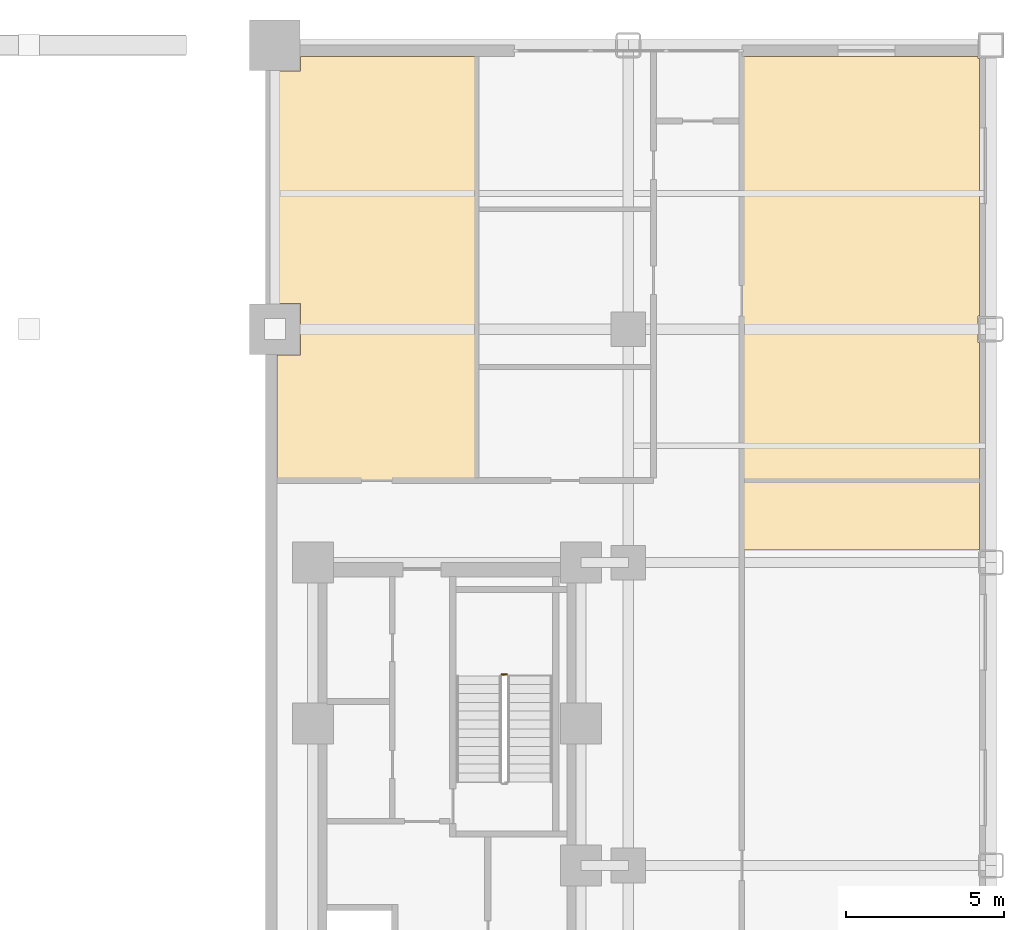
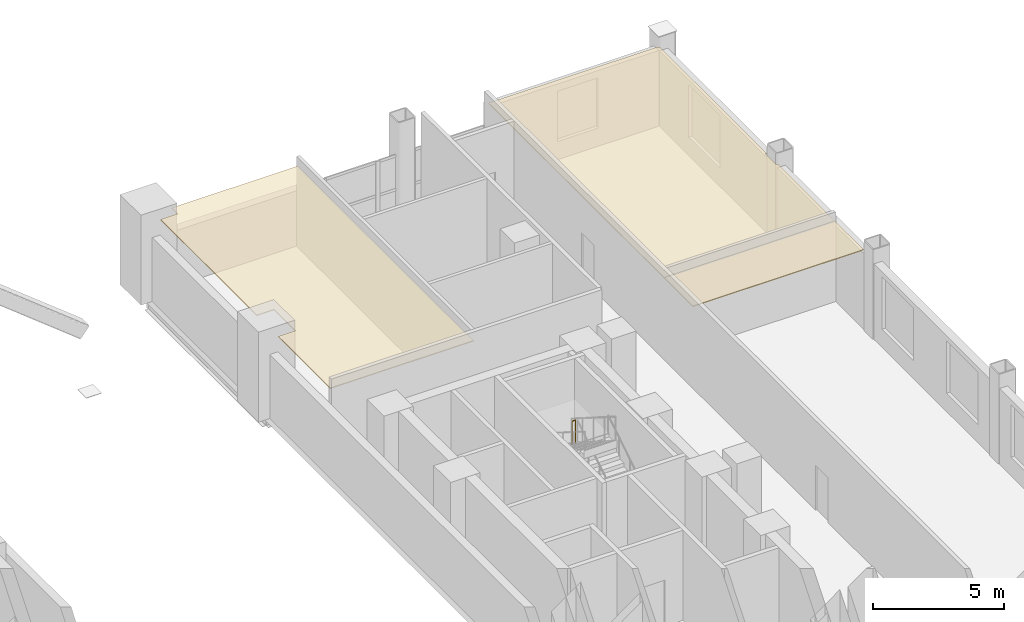
# One storey, part 14 of 14: 3 coverings, 1 railing.
"""IFC4 building model written with IfcOpenShell, lengths in metres."""

from ifc_helpers import new_model, si_unit, direction, frame, origin, origin_2d, place, context, subcontext, project, spatial, polyline, circle, outline, extrude, material, layer, layer_set, type_object, element, save


model = new_model("IFC4")

# Units and contexts
model_context = context("Model", 3, precision=1e-05, world=origin(), true_north=direction((0.0, 1.0)))
body_context = subcontext(model_context, "Body", "Model", "MODEL_VIEW")
ifc_project = project(units=[si_unit("LENGTHUNIT", "METRE"), si_unit("AREAUNIT", "SQUARE_METRE"), si_unit("VOLUMEUNIT", "CUBIC_METRE"), si_unit("PLANEANGLEUNIT", "RADIAN"), si_unit("MASSUNIT", "GRAM", prefix="KILO")], contexts=[model_context])

# Site, building, storey
site_placement = place(None, origin())
site = spatial("IfcSite", under=ifc_project, at=site_placement, CompositionType="ELEMENT")
building_placement = place(site_placement, origin())
building = spatial("IfcBuilding", under=site, at=building_placement, Name="Nuvemarco Arch Tower", CompositionType="ELEMENT")
storey_placement = place(building_placement, frame((0.0, 0.0, 13.800048828125)))
storey = spatial("IfcBuildingStorey", under=building, at=storey_placement, Name="L03", CompositionType="ELEMENT", Elevation=13.800048828125)

# Coverings
ifc_material_1 = material(Name="Mineral acoustic ceiling tile")
ifc_layer = layer(ifc_material_1, 0.0400390625, Name="COV-ACOUSTIC-CLG")
ifc_layer_set = layer_set([ifc_layer], Name="Mineral acoustic ceiling tile")
covering_type = type_object("IfcCoveringType", Name="COV-ACOUSTIC-CLG", PredefinedType="CEILING", material=ifc_layer_set)
covering_1_placement = place(storey_placement, frame((0.0, 0.0, 3.679931640625)))
element("IfcCovering", 1, at=covering_1_placement, inside=storey, type_object=covering_type, Name="L03 suspended acoustic ceiling 2", PredefinedType="CEILING", context=body_context, shape_type="SweptSolid", body=[
    extrude(outline(polyline([(30.139892578125, 10.014892578125), (30.0849609375, 10.014892578125), (30.0849609375, 10.0), (22.60009765625, 10.0), (22.60009765625, 12.199951171875), (30.139892578125, 12.199951171875), (30.139892578125, 10.014892578125)])), origin(), (0.0, 0.0, 1.0), 0.0400390625),
])
covering_2_placement = place(storey_placement, frame((0.0, 0.0, 3.679931640625)))
element("IfcCovering", 2, at=covering_2_placement, inside=storey, type_object=covering_type, Name="L03 suspended acoustic ceiling 4", PredefinedType="CEILING", context=body_context, shape_type="SweptSolid", body=[
    extrude(outline(polyline([(30.0849609375, 17.4150390625), (30.0849609375, 16.5849609375), (30.139892578125, 16.5849609375), (30.139892578125, 12.199951171875), (22.60009765625, 12.199951171875), (22.60009765625, 23.60009765625), (22.60009765625, 25.639892578125), (30.0849609375, 25.639892578125), (30.0849609375, 25.5849609375), (30.139892578125, 25.5849609375), (30.139892578125, 17.4150390625), (30.0849609375, 17.4150390625)])), origin(), (0.0, 0.0, 1.0), 0.0400390625),
])
covering_3_placement = place(storey_placement, frame((0.0, 0.0, 3.679931640625)))
element("IfcCovering", 3, at=covering_3_placement, inside=storey, type_object=covering_type, Name="L03 suspended acoustic ceiling 6", PredefinedType="CEILING", context=body_context, shape_type="SweptSolid", body=[
    extrude(outline(polyline([(8.614990234375, 25.18505859375), (8.614990234375, 25.639892578125), (14.199951171875, 25.639892578125), (14.199951171875, 20.800048828125), (14.199951171875, 15.800048828125), (14.199951171875, 12.199951171875), (7.860107421875, 12.199951171875), (7.860107421875, 16.18505859375), (8.614990234375, 16.18505859375), (8.614990234375, 17.81494140625), (7.860107421875, 17.81494140625), (7.860107421875, 25.18505859375), (8.614990234375, 25.18505859375)])), origin(), (0.0, 0.0, 1.0), 0.0400390625),
])

# Railing
ifc_material_2 = material(Name="Painted balustrade steel S355", Category="steel")
railing_type = type_object("IfcRailingType", Name="RL-STAIR-GUARD", PredefinedType="GUARDRAIL", material=ifc_material_2)
railing_placement = place(storey_placement, frame((15.14990234375, 6.06005859375, 2.300048828125)))
element("IfcRailing", 4, at=railing_placement, inside=storey, type_object=railing_type, Name="L03 ST-2 stair guard 2", PredefinedType="GUARDRAIL", context=body_context, shape_type="SweptSolid", body=[
    extrude(circle(Radius=0.02392578125, at=origin_2d()), frame((0.0, 0.0, 1.09619140625), z_axis=(-1.0, 0.0, 0.0), x_axis=(0.0, -1.0, 0.0)), (0.0, 0.0, 1.0), 0.159912109375),
    extrude(circle(Radius=0.02099609375, at=origin_2d()), origin(), (0.0, 0.0, 1.0), 1.072021484375),
    extrude(circle(Radius=0.02099609375, at=origin_2d()), frame((-0.159912109375, 0.0, 0.0)), (0.0, 0.0, 1.0), 1.072021484375),
])

save(model, "model.ifc")
